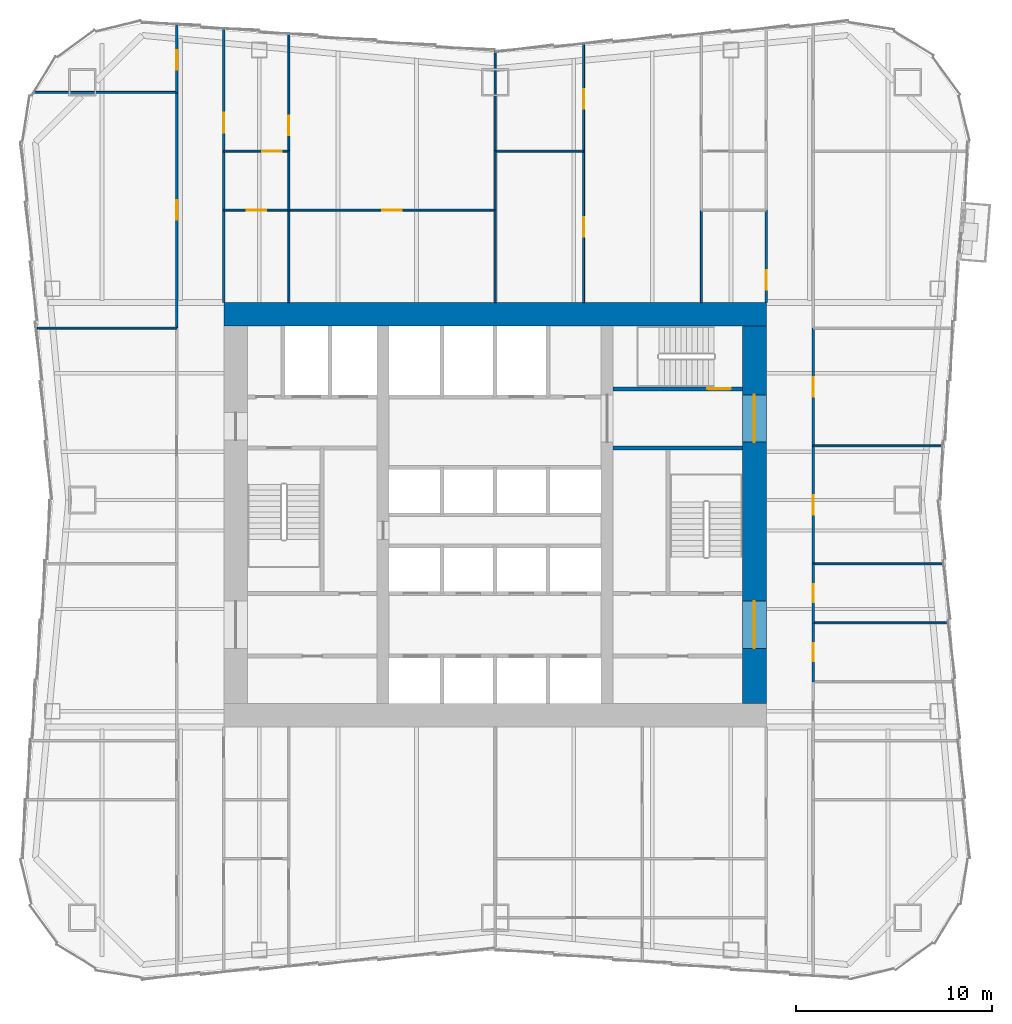
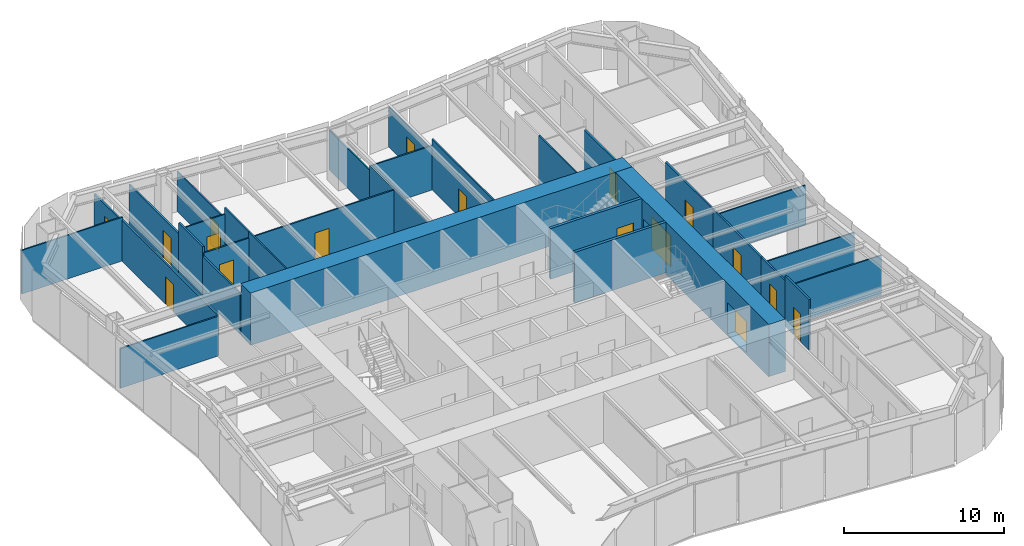
# One storey, part 6 of 9: 32 walls, 17 doors, 17 openings.
"""IFC4 building model written with IfcOpenShell, lengths in metres."""

from ifc_helpers import new_model, si_unit, direction, frame, frame_2d, origin, place, context, subcontext, project, spatial, rectangle, extrude, material, layer, layer_set, type_object, element, fill, save


model = new_model("IFC4")

# Units and contexts
model_context = context("Model", 3, precision=1e-05, world=origin(), true_north=direction((0.0, 1.0)))
body_context = subcontext(model_context, "Body", "Model", "MODEL_VIEW")
ifc_project = project(units=[si_unit("LENGTHUNIT", "METRE"), si_unit("AREAUNIT", "SQUARE_METRE"), si_unit("VOLUMEUNIT", "CUBIC_METRE"), si_unit("PLANEANGLEUNIT", "RADIAN"), si_unit("MASSUNIT", "GRAM", prefix="KILO")], contexts=[model_context])

# Site, building, storey
site_placement = place(None, origin())
site = spatial("IfcSite", under=ifc_project, at=site_placement, CompositionType="ELEMENT")
building_placement = place(site_placement, origin())
building = spatial("IfcBuilding", under=site, at=building_placement, Name="Verdant Reach Tower", CompositionType="ELEMENT")
storey_placement = place(building_placement, frame((0.0, 0.0, 86.0)))
storey = spatial("IfcBuildingStorey", under=building, at=storey_placement, Name="L19", CompositionType="ELEMENT", Elevation=86.0)

# Wall
ifc_material_1 = material(Name="Concrete C40/50", Category="concrete")
ifc_layer_1 = layer(ifc_material_1, 0.199951171875)
ifc_layer_set_1 = layer_set([ifc_layer_1], Name="CO-WALL-STAIR")
wall_type_1 = type_object("IfcWallType", Name="CO-WALL-STAIR", PredefinedType="PARTITIONING", material=ifc_layer_set_1)
wall_1_placement = place(storey_placement, frame((6.0, 31.39990234375, 0.0), z_axis=(0.0, 0.0, 1.0), x_axis=(1.0, 0.0, 0.0)))
element("IfcWall", 1, at=wall_1_placement, inside=storey, type_object=wall_type_1, Name="Stair enclosure wall, L19", PredefinedType="PARTITIONING", context=body_context, shape_type="SweptSolid", body=[
    extrude(rectangle(XDim=6.60009765625, YDim=0.199951171875, at=frame_2d((3.300048828125, 0.0))), origin(), (0.0, 0.0, 1.0), 3.8701171875),
])

# Wall, opening, door
wall_2_placement = place(storey_placement, frame((6.0, 34.39990234375, 0.0), z_axis=(0.0, 0.0, 1.0), x_axis=(1.0, 0.0, 0.0)))
wall_2 = element("IfcWall", 2, at=wall_2_placement, inside=storey, type_object=wall_type_1, Name="Stair enclosure wall, L19", PredefinedType="PARTITIONING", context=body_context, shape_type="SweptSolid", body=[
    extrude(rectangle(XDim=6.60009765625, YDim=0.199951171875, at=frame_2d((3.300048828125, 0.0))), origin(), (0.0, 0.0, 1.0), 3.8701171875),
])
opening_1_placement = place(wall_2_placement, frame((4.800048828125, 0.0, 0.0)))
opening_1 = element("IfcOpeningElement", 3, at=opening_1_placement, cuts=wall_2, Name="Opening SD", PredefinedType="OPENING", context=body_context, shape_type="SweptSolid", body=[
    extrude(rectangle(XDim=1.199951171875, YDim=2.199951171875, at=frame_2d((0.60009765625, 1.10009765625))), frame((0.0, 0.10986328125, 0.0), z_axis=(0.0, -1.0, 0.0), x_axis=(1.0, 0.0, 0.0)), (0.0, 0.0, 1.0), 0.219970703125),
])
ifc_material_2 = material(Name="Steel", Category="steel")
door_type_1 = type_object("IfcDoorType", Name="CO-DOOR-STAIR", OperationType="NOTDEFINED", PredefinedType="DOOR", material=ifc_material_2)
door_1_placement = place(opening_1_placement, origin())
door_1 = element("IfcDoor", 4, at=door_1_placement, inside=storey, type_object=door_type_1, Name="Stair door, L19", OperationType="SINGLE_SWING_RIGHT", OverallHeight=2.199951171875, OverallWidth=1.199951171875, PredefinedType="DOOR", context=body_context, shape_type="SweptSolid", body=[
    extrude(rectangle(XDim=1.199951171875, YDim=2.199951171875, at=frame_2d((0.60009765625, 1.10009765625))), frame((0.0, 0.02490234375, 0.0), z_axis=(0.0, -1.0, 0.0), x_axis=(1.0, 0.0, 0.0)), (0.0, 0.0, 1.0), 0.050048828125),
])
fill(opening_1, door_1)

# Walls
ifc_material_3 = material(Name="Gypsum board on steel studs", Category="steel")
ifc_layer_2 = layer(ifc_material_3, 0.10009765625)
ifc_layer_set_2 = layer_set([ifc_layer_2], Name="FL-W1 Partition 100")
wall_type_2 = type_object("IfcWallType", Name="FL-W1 Partition 100", PredefinedType="PARTITIONING", material=ifc_layer_set_2)
wall_3_placement = place(storey_placement, frame((-16.199951171875, 37.5, 0.0), z_axis=(0.0, 0.0, 1.0), x_axis=(-1.0, 0.0, 0.0)))
element("IfcWall", 5, at=wall_3_placement, inside=storey, type_object=wall_type_2, Name="Partition 19.31", PredefinedType="PARTITIONING", context=body_context, shape_type="SweptSolid", body=[
    extrude(rectangle(XDim=7.099365234375, YDim=0.10009765625, at=frame_2d((3.5498046875, 0.0))), origin(), (0.0, 0.0, 1.0), 3.0400390625),
])
wall_4_placement = place(storey_placement, frame((-16.199951171875, 49.5, 0.0), z_axis=(0.0, 0.0, 1.0), x_axis=(-1.0, 0.0, 0.0)))
element("IfcWall", 6, at=wall_4_placement, inside=storey, type_object=wall_type_2, Name="Partition 19.32", PredefinedType="PARTITIONING", context=body_context, shape_type="SweptSolid", body=[
    extrude(rectangle(XDim=7.287109375, YDim=0.10009765625, at=frame_2d((3.6435546875, 0.0))), origin(), (0.0, 0.0, 1.0), 3.340087890625),
])
wall_5_placement = place(storey_placement, frame((23.09375, 22.5, 0.0), z_axis=(0.0, 0.0, 1.0), x_axis=(-1.0, 0.0, 0.0)))
element("IfcWall", 7, at=wall_5_placement, inside=storey, type_object=wall_type_2, Name="Partition 19.36", PredefinedType="PARTITIONING", context=body_context, shape_type="SweptSolid", body=[
    extrude(rectangle(XDim=6.893798828125, YDim=0.10009765625, at=frame_2d((3.44677734375, 0.0))), origin(), (0.0, 0.0, 1.0), 3.0400390625),
])
wall_6_placement = place(storey_placement, frame((22.84716796875, 25.5, 0.0), z_axis=(0.0, 0.0, 1.0), x_axis=(-1.0, 0.0, 0.0)))
element("IfcWall", 8, at=wall_6_placement, inside=storey, type_object=wall_type_2, Name="Partition 19.37", PredefinedType="PARTITIONING", context=body_context, shape_type="SweptSolid", body=[
    extrude(rectangle(XDim=6.647216796875, YDim=0.10009765625, at=frame_2d((3.32373046875, 0.0))), origin(), (0.0, 0.0, 1.0), 3.0400390625),
])
wall_7_placement = place(storey_placement, frame((22.805908203125, 31.5, 0.0), z_axis=(0.0, 0.0, 1.0), x_axis=(-1.0, 0.0, 0.0)))
element("IfcWall", 9, at=wall_7_placement, inside=storey, type_object=wall_type_2, Name="Partition 19.38", PredefinedType="PARTITIONING", context=body_context, shape_type="SweptSolid", body=[
    extrude(rectangle(XDim=6.60595703125, YDim=0.10009765625, at=frame_2d((3.302978515625, 0.0))), origin(), (0.0, 0.0, 1.0), 3.0400390625),
])

# Wall, opening, door
wall_8_placement = place(storey_placement, frame((-10.5, 43.5, 0.0), z_axis=(0.0, 0.0, 1.0), x_axis=(-1.0, 0.0, 0.0)))
wall_8 = element("IfcWall", 10, at=wall_8_placement, inside=storey, type_object=wall_type_2, Name="Partition 19.56", PredefinedType="PARTITIONING", context=body_context, shape_type="SweptSolid", body=[
    extrude(rectangle(XDim=3.300048828125, YDim=0.10009765625, at=frame_2d((1.64990234375, 0.0))), origin(), (0.0, 0.0, 1.0), 3.389892578125),
])
opening_2_placement = place(wall_8_placement, frame((1.14990234375, 0.0, 0.0)))
opening_2 = element("IfcOpeningElement", 11, at=opening_2_placement, cuts=wall_8, Name="Opening D3", PredefinedType="OPENING", context=body_context, shape_type="SweptSolid", body=[
    extrude(rectangle(XDim=1.0, YDim=2.10009765625, at=frame_2d((0.5, 1.050048828125))), frame((0.0, 0.06005859375, 0.0), z_axis=(0.0, -1.0, 0.0), x_axis=(1.0, 0.0, 0.0)), (0.0, 0.0, 1.0), 0.1201171875),
])
ifc_material_4 = material(Name="Painted timber door leaf", Category="wood")
door_type_2 = type_object("IfcDoorType", Name="FL-D3 Door 1000x2100", OperationType="NOTDEFINED", PredefinedType="DOOR", material=ifc_material_4)
door_2_placement = place(opening_2_placement, origin())
door_2 = element("IfcDoor", 12, at=door_2_placement, inside=storey, type_object=door_type_2, Name="Door 19-029", OperationType="SINGLE_SWING_LEFT", OverallHeight=2.10009765625, OverallWidth=1.0, PredefinedType="DOOR", context=body_context, shape_type="SweptSolid", body=[
    extrude(rectangle(XDim=1.0, YDim=2.10009765625, at=frame_2d((0.5, 1.050048828125))), frame((0.0, 0.02490234375, 0.0), z_axis=(0.0, -1.0, 0.0), x_axis=(1.0, 0.0, 0.0)), (0.0, 0.0, 1.0), 0.050048828125),
])
fill(opening_2, door_2)

# Wall
wall_9_placement = place(storey_placement, frame((-10.5, 38.800048828125, 0.0), z_axis=(0.0, 0.0, 1.0), x_axis=(0.0, 1.0, 0.0)))
element("IfcWall", 13, at=wall_9_placement, inside=storey, type_object=wall_type_2, Name="Partition 19.57", PredefinedType="PARTITIONING", context=body_context, shape_type="SweptSolid", body=[
    extrude(rectangle(XDim=4.699951171875, YDim=0.10009765625, at=frame_2d((2.35009765625, 0.0))), origin(), (0.0, 0.0, 1.0), 3.8701171875),
])

# Wall, opening, door
wall_10_placement = place(storey_placement, frame((-10.5, 46.5, 0.0), z_axis=(0.0, 0.0, 1.0), x_axis=(-1.0, 0.0, 0.0)))
wall_10 = element("IfcWall", 14, at=wall_10_placement, inside=storey, type_object=wall_type_2, Name="Partition 19.58", PredefinedType="PARTITIONING", context=body_context, shape_type="SweptSolid", body=[
    extrude(rectangle(XDim=3.300048828125, YDim=0.10009765625, at=frame_2d((1.64990234375, 0.0))), origin(), (0.0, 0.0, 1.0), 3.389892578125),
])
opening_3_placement = place(wall_10_placement, frame((0.35009765625, 0.0, 0.0)))
opening_3 = element("IfcOpeningElement", 15, at=opening_3_placement, cuts=wall_10, Name="Opening D3", PredefinedType="OPENING", context=body_context, shape_type="SweptSolid", body=[
    extrude(rectangle(XDim=1.0, YDim=2.10009765625, at=frame_2d((0.5, 1.050048828125))), frame((0.0, 0.06005859375, 0.0), z_axis=(0.0, -1.0, 0.0), x_axis=(1.0, 0.0, 0.0)), (0.0, 0.0, 1.0), 0.1201171875),
])
door_3_placement = place(opening_3_placement, origin())
door_3 = element("IfcDoor", 16, at=door_3_placement, inside=storey, type_object=door_type_2, Name="Door 19-030", OperationType="SINGLE_SWING_LEFT", OverallHeight=2.10009765625, OverallWidth=1.0, PredefinedType="DOOR", context=body_context, shape_type="SweptSolid", body=[
    extrude(rectangle(XDim=1.0, YDim=2.10009765625, at=frame_2d((0.5, 1.050048828125))), frame((0.0, 0.02490234375, 0.0), z_axis=(0.0, -1.0, 0.0), x_axis=(1.0, 0.0, 0.0)), (0.0, 0.0, 1.0), 0.050048828125),
])
fill(opening_3, door_3)

# Wall
wall_11_placement = place(storey_placement, frame((-10.5, 43.5, 0.0), z_axis=(0.0, 0.0, 1.0), x_axis=(0.0, 1.0, 0.0)))
element("IfcWall", 17, at=wall_11_placement, inside=storey, type_object=wall_type_2, Name="Partition 19.59", PredefinedType="PARTITIONING", context=body_context, shape_type="SweptSolid", body=[
    extrude(rectangle(XDim=3.00390625, YDim=0.10009765625, at=frame_2d((1.501953125, 0.0))), origin(), (0.0, 0.0, 1.0), 3.8701171875),
])

# Wall, opening, door
wall_12_placement = place(storey_placement, frame((-10.5, 52.455078125, 0.0), z_axis=(0.0, 0.0, 1.0), x_axis=(0.0, -1.0, 0.0)))
wall_12 = element("IfcWall", 18, at=wall_12_placement, inside=storey, type_object=wall_type_2, Name="Partition 19.60", PredefinedType="PARTITIONING", context=body_context, shape_type="SweptSolid", body=[
    extrude(rectangle(XDim=5.958984375, YDim=0.10009765625, at=frame_2d((2.9794921875, 0.0))), origin(), (0.0, 0.0, 1.0), 3.0400390625),
])
opening_4_placement = place(wall_12_placement, frame((4.14453125, 0.0, 0.0)))
opening_4 = element("IfcOpeningElement", 19, at=opening_4_placement, cuts=wall_12, Name="Opening D3", PredefinedType="OPENING", context=body_context, shape_type="SweptSolid", body=[
    extrude(rectangle(XDim=1.0, YDim=2.10009765625, at=frame_2d((0.5, 1.050048828125))), frame((0.0, 0.06005859375, 0.0), z_axis=(0.0, -1.0, 0.0), x_axis=(1.0, 0.0, 0.0)), (0.0, 0.0, 1.0), 0.1201171875),
])
door_4_placement = place(opening_4_placement, origin())
door_4 = element("IfcDoor", 20, at=door_4_placement, inside=storey, type_object=door_type_2, Name="Door 19-031", OperationType="SINGLE_SWING_RIGHT", OverallHeight=2.10009765625, OverallWidth=1.0, PredefinedType="DOOR", context=body_context, shape_type="SweptSolid", body=[
    extrude(rectangle(XDim=1.0, YDim=2.10009765625, at=frame_2d((0.5, 1.050048828125))), frame((0.0, 0.02490234375, 0.0), z_axis=(0.0, -1.0, 0.0), x_axis=(1.0, 0.0, 0.0)), (0.0, 0.0, 1.0), 0.050048828125),
])
fill(opening_4, door_4)

wall_13_placement = place(storey_placement, frame((0.0, 43.5, 0.0), z_axis=(0.0, 0.0, 1.0), x_axis=(-1.0, 0.0, 0.0)))
wall_13 = element("IfcWall", 21, at=wall_13_placement, inside=storey, type_object=wall_type_2, Name="Partition 19.61", PredefinedType="PARTITIONING", context=body_context, shape_type="SweptSolid", body=[
    extrude(rectangle(XDim=10.5, YDim=0.10009765625, at=frame_2d((5.25, 0.0))), origin(), (0.0, 0.0, 1.0), 3.389892578125),
])
opening_5_placement = place(wall_13_placement, frame((4.75, 0.0, 0.0)))
opening_5 = element("IfcOpeningElement", 22, at=opening_5_placement, cuts=wall_13, Name="Opening D3", PredefinedType="OPENING", context=body_context, shape_type="SweptSolid", body=[
    extrude(rectangle(XDim=1.0, YDim=2.10009765625, at=frame_2d((0.5, 1.050048828125))), frame((0.0, 0.06005859375, 0.0), z_axis=(0.0, -1.0, 0.0), x_axis=(1.0, 0.0, 0.0)), (0.0, 0.0, 1.0), 0.1201171875),
])
door_5_placement = place(opening_5_placement, origin())
door_5 = element("IfcDoor", 23, at=door_5_placement, inside=storey, type_object=door_type_2, Name="Door 19-032", OperationType="SINGLE_SWING_RIGHT", OverallHeight=2.10009765625, OverallWidth=1.0, PredefinedType="DOOR", context=body_context, shape_type="SweptSolid", body=[
    extrude(rectangle(XDim=1.0, YDim=2.10009765625, at=frame_2d((0.5, 1.050048828125))), frame((0.0, 0.02490234375, 0.0), z_axis=(0.0, -1.0, 0.0), x_axis=(1.0, 0.0, 0.0)), (0.0, 0.0, 1.0), 0.050048828125),
])
fill(opening_5, door_5)

# Walls
wall_14_placement = place(storey_placement, frame((0.0, 38.800048828125, 0.0), z_axis=(0.0, 0.0, 1.0), x_axis=(0.0, 1.0, 0.0)))
element("IfcWall", 24, at=wall_14_placement, inside=storey, type_object=wall_type_2, Name="Partition 19.62", PredefinedType="PARTITIONING", context=body_context, shape_type="SweptSolid", body=[
    extrude(rectangle(XDim=4.703857421875, YDim=0.10009765625, at=frame_2d((2.35205078125, 0.0))), origin(), (0.0, 0.0, 1.0), 3.43994140625),
])
wall_15_placement = place(storey_placement, frame((0.0, 43.49609375, 0.0), z_axis=(0.0, 0.0, 1.0), x_axis=(0.0, 1.0, 0.0)))
element("IfcWall", 25, at=wall_15_placement, inside=storey, type_object=wall_type_2, Name="Partition 19.63", PredefinedType="PARTITIONING", context=body_context, shape_type="SweptSolid", body=[
    extrude(rectangle(XDim=3.00390625, YDim=0.10009765625, at=frame_2d((1.501953125, 0.0))), origin(), (0.0, 0.0, 1.0), 3.43994140625),
])
wall_16_placement = place(storey_placement, frame((0.0, 46.5, 0.0), z_axis=(0.0, 0.0, 1.0), x_axis=(0.0, 1.0, 0.0)))
element("IfcWall", 26, at=wall_16_placement, inside=storey, type_object=wall_type_2, Name="Partition 19.64", PredefinedType="PARTITIONING", context=body_context, shape_type="SweptSolid", body=[
    extrude(rectangle(XDim=5.080078125, YDim=0.10009765625, at=frame_2d((2.5400390625, 0.0))), origin(), (0.0, 0.0, 1.0), 3.0400390625),
])
wall_17_placement = place(storey_placement, frame((10.5, 43.50390625, 0.0), z_axis=(0.0, 0.0, 1.0), x_axis=(0.0, -1.0, 0.0)))
element("IfcWall", 27, at=wall_17_placement, inside=storey, type_object=wall_type_2, Name="Partition 19.66", PredefinedType="PARTITIONING", context=body_context, shape_type="SweptSolid", body=[
    extrude(rectangle(XDim=4.703857421875, YDim=0.10009765625, at=frame_2d((2.35205078125, 0.0))), origin(), (0.0, 0.0, 1.0), 3.8701171875),
])

# Wall, opening, door
wall_18_placement = place(storey_placement, frame((4.5, 38.800048828125, 0.0), z_axis=(0.0, 0.0, 1.0), x_axis=(0.0, 1.0, 0.0)))
wall_18 = element("IfcWall", 28, at=wall_18_placement, inside=storey, type_object=wall_type_2, Name="Partition 19.70", PredefinedType="PARTITIONING", context=body_context, shape_type="SweptSolid", body=[
    extrude(rectangle(XDim=7.699951171875, YDim=0.10009765625, at=frame_2d((3.85009765625, 0.0))), origin(), (0.0, 0.0, 1.0), 3.8701171875),
])
opening_6_placement = place(wall_18_placement, frame((3.35009765625, 0.0, 0.0)))
opening_6 = element("IfcOpeningElement", 29, at=opening_6_placement, cuts=wall_18, Name="Opening D3", PredefinedType="OPENING", context=body_context, shape_type="SweptSolid", body=[
    extrude(rectangle(XDim=1.0, YDim=2.10009765625, at=frame_2d((0.5, 1.050048828125))), frame((0.0, 0.06005859375, 0.0), z_axis=(0.0, -1.0, 0.0), x_axis=(1.0, 0.0, 0.0)), (0.0, 0.0, 1.0), 0.1201171875),
])
door_6_placement = place(opening_6_placement, origin())
door_6 = element("IfcDoor", 30, at=door_6_placement, inside=storey, type_object=door_type_2, Name="Door 19-035", OperationType="SINGLE_SWING_LEFT", OverallHeight=2.10009765625, OverallWidth=1.0, PredefinedType="DOOR", context=body_context, shape_type="SweptSolid", body=[
    extrude(rectangle(XDim=1.0, YDim=2.10009765625, at=frame_2d((0.5, 1.050048828125))), frame((0.0, 0.02490234375, 0.0), z_axis=(0.0, -1.0, 0.0), x_axis=(1.0, 0.0, 0.0)), (0.0, 0.0, 1.0), 0.050048828125),
])
fill(opening_6, door_6)

wall_19_placement = place(storey_placement, frame((4.5, 46.5, 0.0), z_axis=(0.0, 0.0, 1.0), x_axis=(0.0, 1.0, 0.0)))
wall_19 = element("IfcWall", 31, at=wall_19_placement, inside=storey, type_object=wall_type_2, Name="Partition 19.71", PredefinedType="PARTITIONING", context=body_context, shape_type="SweptSolid", body=[
    extrude(rectangle(XDim=5.455078125, YDim=0.10009765625, at=frame_2d((2.7275390625, 0.0))), origin(), (0.0, 0.0, 1.0), 3.0400390625),
])
opening_7_placement = place(wall_19_placement, frame((2.162353515625, 0.0, 0.0)))
opening_7 = element("IfcOpeningElement", 32, at=opening_7_placement, cuts=wall_19, Name="Opening D3", PredefinedType="OPENING", context=body_context, shape_type="SweptSolid", body=[
    extrude(rectangle(XDim=1.0, YDim=2.10009765625, at=frame_2d((0.5, 1.050048828125))), frame((0.0, 0.06005859375, 0.0), z_axis=(0.0, -1.0, 0.0), x_axis=(1.0, 0.0, 0.0)), (0.0, 0.0, 1.0), 0.1201171875),
])
door_7_placement = place(opening_7_placement, origin())
door_7 = element("IfcDoor", 33, at=door_7_placement, inside=storey, type_object=door_type_2, Name="Door 19-036", OperationType="SINGLE_SWING_LEFT", OverallHeight=2.10009765625, OverallWidth=1.0, PredefinedType="DOOR", context=body_context, shape_type="SweptSolid", body=[
    extrude(rectangle(XDim=1.0, YDim=2.10009765625, at=frame_2d((0.5, 1.050048828125))), frame((0.0, 0.02490234375, 0.0), z_axis=(0.0, -1.0, 0.0), x_axis=(1.0, 0.0, 0.0)), (0.0, 0.0, 1.0), 0.050048828125),
])
fill(opening_7, door_7)

# Wall
wall_20_placement = place(storey_placement, frame((4.5, 46.5, 0.0), z_axis=(0.0, 0.0, 1.0), x_axis=(-1.0, 0.0, 0.0)))
element("IfcWall", 34, at=wall_20_placement, inside=storey, type_object=wall_type_2, Name="Partition 19.72", PredefinedType="PARTITIONING", context=body_context, shape_type="SweptSolid", body=[
    extrude(rectangle(XDim=4.5, YDim=0.10009765625, at=frame_2d((2.25, 0.0))), origin(), (0.0, 0.0, 1.0), 3.389892578125),
])

# Wall, opening, door
ifc_material_5 = material(Name="Gypsum board on steel studs, fire rated", Category="steel")
ifc_layer_3 = layer(ifc_material_5, 0.125)
ifc_layer_set_3 = layer_set([ifc_layer_3], Name="FL-W2 Corridor wall 125")
wall_type_3 = type_object("IfcWallType", Name="FL-W2 Corridor wall 125", PredefinedType="PARTITIONING", material=ifc_layer_set_3)
wall_21_placement = place(storey_placement, frame((-16.199951171875, 37.5, 0.0), z_axis=(0.0, 0.0, 1.0), x_axis=(0.0, 1.0, 0.0)))
wall_21 = element("IfcWall", 35, at=wall_21_placement, inside=storey, type_object=wall_type_3, Name="Partition 19.05", PredefinedType="PARTITIONING", context=body_context, shape_type="SweptSolid", body=[
    extrude(rectangle(XDim=12.0, YDim=0.125, at=frame_2d((6.0, 0.0))), origin(), (0.0, 0.0, 1.0), 3.139892578125),
])
opening_8_placement = place(wall_21_placement, frame((5.5, 0.0, 0.0)))
opening_8 = element("IfcOpeningElement", 36, at=opening_8_placement, cuts=wall_21, Name="Opening D2", PredefinedType="OPENING", context=body_context, shape_type="SweptSolid", body=[
    extrude(rectangle(XDim=1.0, YDim=2.10009765625, at=frame_2d((0.5, 1.050048828125))), frame((0.0, 0.072509765625, 0.0), z_axis=(0.0, -1.0, 0.0), x_axis=(1.0, 0.0, 0.0)), (0.0, 0.0, 1.0), 0.14501953125),
])
ifc_material_6 = material(Name="Timber door leaf, fire rated", Category="wood")
door_type_3 = type_object("IfcDoorType", Name="FL-D2 Entrance door 1000x2100 FD30", OperationType="NOTDEFINED", PredefinedType="DOOR", material=ifc_material_6)
door_8_placement = place(opening_8_placement, origin())
door_8 = element("IfcDoor", 37, at=door_8_placement, inside=storey, type_object=door_type_3, Name="Door 19-005", OperationType="SINGLE_SWING_LEFT", OverallHeight=2.10009765625, OverallWidth=1.0, PredefinedType="DOOR", context=body_context, shape_type="SweptSolid", body=[
    extrude(rectangle(XDim=1.0, YDim=2.10009765625, at=frame_2d((0.5, 1.050048828125))), frame((0.0, 0.02490234375, 0.0), z_axis=(0.0, -1.0, 0.0), x_axis=(1.0, 0.0, 0.0)), (0.0, 0.0, 1.0), 0.050048828125),
])
fill(opening_8, door_8)

wall_22_placement = place(storey_placement, frame((-16.199951171875, 49.5, 0.0), z_axis=(0.0, 0.0, 1.0), x_axis=(0.0, 1.0, 0.0)))
wall_22 = element("IfcWall", 38, at=wall_22_placement, inside=storey, type_object=wall_type_3, Name="Partition 19.06", PredefinedType="PARTITIONING", context=body_context, shape_type="SweptSolid", body=[
    extrude(rectangle(XDim=3.429931640625, YDim=0.125, at=frame_2d((1.71484375, 0.0))), origin(), (0.0, 0.0, 1.0), 3.0400390625),
])
opening_9_placement = place(wall_22_placement, frame((1.14990234375, 0.0, 0.0)))
opening_9 = element("IfcOpeningElement", 39, at=opening_9_placement, cuts=wall_22, Name="Opening D2", PredefinedType="OPENING", context=body_context, shape_type="SweptSolid", body=[
    extrude(rectangle(XDim=1.0, YDim=2.10009765625, at=frame_2d((0.5, 1.050048828125))), frame((0.0, 0.072509765625, 0.0), z_axis=(0.0, -1.0, 0.0), x_axis=(1.0, 0.0, 0.0)), (0.0, 0.0, 1.0), 0.14501953125),
])
door_9_placement = place(opening_9_placement, origin())
door_9 = element("IfcDoor", 40, at=door_9_placement, inside=storey, type_object=door_type_3, Name="Door 19-006", OperationType="SINGLE_SWING_LEFT", OverallHeight=2.10009765625, OverallWidth=1.0, PredefinedType="DOOR", context=body_context, shape_type="SweptSolid", body=[
    extrude(rectangle(XDim=1.0, YDim=2.10009765625, at=frame_2d((0.5, 1.050048828125))), frame((0.0, 0.02490234375, 0.0), z_axis=(0.0, -1.0, 0.0), x_axis=(1.0, 0.0, 0.0)), (0.0, 0.0, 1.0), 0.050048828125),
])
fill(opening_9, door_9)

# Walls
wall_23_placement = place(storey_placement, frame((-13.800048828125, 38.800048828125, 0.0), z_axis=(0.0, 0.0, 1.0), x_axis=(0.0, 1.0, 0.0)))
element("IfcWall", 41, at=wall_23_placement, inside=storey, type_object=wall_type_3, Name="Partition 19.10", PredefinedType="PARTITIONING", context=body_context, shape_type="SweptSolid", body=[
    extrude(rectangle(XDim=4.699951171875, YDim=0.125, at=frame_2d((2.35009765625, 0.0))), origin(), (0.0, 0.0, 1.0), 3.139892578125),
])
wall_24_placement = place(storey_placement, frame((-13.800048828125, 43.5, 0.0), z_axis=(0.0, 0.0, 1.0), x_axis=(0.0, 1.0, 0.0)))
element("IfcWall", 42, at=wall_24_placement, inside=storey, type_object=wall_type_3, Name="Partition 19.11", PredefinedType="PARTITIONING", context=body_context, shape_type="SweptSolid", body=[
    extrude(rectangle(XDim=3.0, YDim=0.125, at=frame_2d((1.5, 0.0))), origin(), (0.0, 0.0, 1.0), 3.8701171875),
])

# Wall, opening, door
wall_25_placement = place(storey_placement, frame((-13.800048828125, 52.72998046875, 0.0), z_axis=(0.0, 0.0, 1.0), x_axis=(0.0, -1.0, 0.0)))
wall_25 = element("IfcWall", 43, at=wall_25_placement, inside=storey, type_object=wall_type_3, Name="Partition 19.12", PredefinedType="PARTITIONING", context=body_context, shape_type="SweptSolid", body=[
    extrude(rectangle(XDim=6.22998046875, YDim=0.125, at=frame_2d((3.114990234375, 0.0))), origin(), (0.0, 0.0, 1.0), 3.0400390625),
])
opening_10_placement = place(wall_25_placement, frame((4.280029296875, 0.0, 0.0)))
opening_10 = element("IfcOpeningElement", 44, at=opening_10_placement, cuts=wall_25, Name="Opening D2", PredefinedType="OPENING", context=body_context, shape_type="SweptSolid", body=[
    extrude(rectangle(XDim=1.0, YDim=2.10009765625, at=frame_2d((0.5, 1.050048828125))), frame((0.0, 0.072509765625, 0.0), z_axis=(0.0, -1.0, 0.0), x_axis=(1.0, 0.0, 0.0)), (0.0, 0.0, 1.0), 0.14501953125),
])
door_10_placement = place(opening_10_placement, origin())
door_10 = element("IfcDoor", 45, at=door_10_placement, inside=storey, type_object=door_type_3, Name="Door 19-009", OperationType="SINGLE_SWING_RIGHT", OverallHeight=2.10009765625, OverallWidth=1.0, PredefinedType="DOOR", context=body_context, shape_type="SweptSolid", body=[
    extrude(rectangle(XDim=1.0, YDim=2.10009765625, at=frame_2d((0.5, 1.050048828125))), frame((0.0, 0.02490234375, 0.0), z_axis=(0.0, -1.0, 0.0), x_axis=(1.0, 0.0, 0.0)), (0.0, 0.0, 1.0), 0.050048828125),
])
fill(opening_10, door_10)

wall_26_placement = place(storey_placement, frame((16.199951171875, 22.5, 0.0), z_axis=(0.0, 0.0, 1.0), x_axis=(0.0, -1.0, 0.0)))
wall_26 = element("IfcWall", 46, at=wall_26_placement, inside=storey, type_object=wall_type_3, Name="Partition 19.16", PredefinedType="PARTITIONING", context=body_context, shape_type="SweptSolid", body=[
    extrude(rectangle(XDim=3.0, YDim=0.125, at=frame_2d((1.5, 0.0))), origin(), (0.0, 0.0, 1.0), 3.8701171875),
])
opening_11_placement = place(wall_26_placement, frame((1.050048828125, 0.0, 0.0)))
opening_11 = element("IfcOpeningElement", 47, at=opening_11_placement, cuts=wall_26, Name="Opening D1", PredefinedType="OPENING", context=body_context, shape_type="SweptSolid", body=[
    extrude(rectangle(XDim=0.89990234375, YDim=2.10009765625, at=frame_2d((0.449951171875, 1.050048828125))), frame((0.0, 0.072509765625, 0.0), z_axis=(0.0, -1.0, 0.0), x_axis=(1.0, 0.0, 0.0)), (0.0, 0.0, 1.0), 0.14501953125),
])
door_type_4 = type_object("IfcDoorType", Name="FL-D1 Door 900x2100", OperationType="NOTDEFINED", PredefinedType="DOOR", material=ifc_material_4)
door_11_placement = place(opening_11_placement, origin())
door_11 = element("IfcDoor", 48, at=door_11_placement, inside=storey, type_object=door_type_4, Name="Door 19-013", OperationType="SINGLE_SWING_LEFT", OverallHeight=2.10009765625, OverallWidth=0.89990234375, PredefinedType="DOOR", context=body_context, shape_type="SweptSolid", body=[
    extrude(rectangle(XDim=0.89990234375, YDim=2.10009765625, at=frame_2d((0.449951171875, 1.050048828125))), frame((0.0, 0.02490234375, 0.0), z_axis=(0.0, -1.0, 0.0), x_axis=(1.0, 0.0, 0.0)), (0.0, 0.0, 1.0), 0.050048828125),
])
fill(opening_11, door_11)

wall_27_placement = place(storey_placement, frame((16.199951171875, 25.5, 0.0), z_axis=(0.0, 0.0, 1.0), x_axis=(0.0, -1.0, 0.0)))
wall_27 = element("IfcWall", 49, at=wall_27_placement, inside=storey, type_object=wall_type_3, Name="Partition 19.17", PredefinedType="PARTITIONING", context=body_context, shape_type="SweptSolid", body=[
    extrude(rectangle(XDim=3.0, YDim=0.125, at=frame_2d((1.5, 0.0))), origin(), (0.0, 0.0, 1.0), 3.47998046875),
])
opening_12_placement = place(wall_27_placement, frame((1.050048828125, 0.0, 0.0)))
opening_12 = element("IfcOpeningElement", 50, at=opening_12_placement, cuts=wall_27, Name="Opening D1", PredefinedType="OPENING", context=body_context, shape_type="SweptSolid", body=[
    extrude(rectangle(XDim=0.89990234375, YDim=2.10009765625, at=frame_2d((0.449951171875, 1.050048828125))), frame((0.0, 0.072509765625, 0.0), z_axis=(0.0, -1.0, 0.0), x_axis=(1.0, 0.0, 0.0)), (0.0, 0.0, 1.0), 0.14501953125),
])
door_12_placement = place(opening_12_placement, origin())
door_12 = element("IfcDoor", 51, at=door_12_placement, inside=storey, type_object=door_type_4, Name="Door 19-014", OperationType="SINGLE_SWING_RIGHT", OverallHeight=2.10009765625, OverallWidth=0.89990234375, PredefinedType="DOOR", context=body_context, shape_type="SweptSolid", body=[
    extrude(rectangle(XDim=0.89990234375, YDim=2.10009765625, at=frame_2d((0.449951171875, 1.050048828125))), frame((0.0, 0.02490234375, 0.0), z_axis=(0.0, -1.0, 0.0), x_axis=(1.0, 0.0, 0.0)), (0.0, 0.0, 1.0), 0.050048828125),
])
fill(opening_12, door_12)

wall_28_placement = place(storey_placement, frame((16.199951171875, 31.5, 0.0), z_axis=(0.0, 0.0, 1.0), x_axis=(0.0, -1.0, 0.0)))
wall_28 = element("IfcWall", 52, at=wall_28_placement, inside=storey, type_object=wall_type_3, Name="Partition 19.18", PredefinedType="PARTITIONING", context=body_context, shape_type="SweptSolid", body=[
    extrude(rectangle(XDim=6.0, YDim=0.125, at=frame_2d((3.0, 0.0))), origin(), (0.0, 0.0, 1.0), 3.47998046875),
])
opening_13_placement = place(wall_28_placement, frame((2.5, 0.0, 0.0)))
opening_13 = element("IfcOpeningElement", 53, at=opening_13_placement, cuts=wall_28, Name="Opening D2", PredefinedType="OPENING", context=body_context, shape_type="SweptSolid", body=[
    extrude(rectangle(XDim=1.0, YDim=2.10009765625, at=frame_2d((0.5, 1.050048828125))), frame((0.0, 0.072509765625, 0.0), z_axis=(0.0, -1.0, 0.0), x_axis=(1.0, 0.0, 0.0)), (0.0, 0.0, 1.0), 0.14501953125),
])
door_13_placement = place(opening_13_placement, origin())
door_13 = element("IfcDoor", 54, at=door_13_placement, inside=storey, type_object=door_type_3, Name="Door 19-015", OperationType="SINGLE_SWING_LEFT", OverallHeight=2.10009765625, OverallWidth=1.0, PredefinedType="DOOR", context=body_context, shape_type="SweptSolid", body=[
    extrude(rectangle(XDim=1.0, YDim=2.10009765625, at=frame_2d((0.5, 1.050048828125))), frame((0.0, 0.02490234375, 0.0), z_axis=(0.0, -1.0, 0.0), x_axis=(1.0, 0.0, 0.0)), (0.0, 0.0, 1.0), 0.050048828125),
])
fill(opening_13, door_13)

wall_29_placement = place(storey_placement, frame((16.199951171875, 37.5, 0.0), z_axis=(0.0, 0.0, 1.0), x_axis=(0.0, -1.0, 0.0)))
wall_29 = element("IfcWall", 55, at=wall_29_placement, inside=storey, type_object=wall_type_3, Name="Partition 19.19", PredefinedType="PARTITIONING", context=body_context, shape_type="SweptSolid", body=[
    extrude(rectangle(XDim=6.0, YDim=0.125, at=frame_2d((3.0, 0.0))), origin(), (0.0, 0.0, 1.0), 3.47998046875),
])
opening_14_placement = place(wall_29_placement, frame((2.5, 0.0, 0.0)))
opening_14 = element("IfcOpeningElement", 56, at=opening_14_placement, cuts=wall_29, Name="Opening D2", PredefinedType="OPENING", context=body_context, shape_type="SweptSolid", body=[
    extrude(rectangle(XDim=1.0, YDim=2.10009765625, at=frame_2d((0.5, 1.050048828125))), frame((0.0, 0.072509765625, 0.0), z_axis=(0.0, -1.0, 0.0), x_axis=(1.0, 0.0, 0.0)), (0.0, 0.0, 1.0), 0.14501953125),
])
door_14_placement = place(opening_14_placement, origin())
door_14 = element("IfcDoor", 57, at=door_14_placement, inside=storey, type_object=door_type_3, Name="Door 19-016", OperationType="SINGLE_SWING_RIGHT", OverallHeight=2.10009765625, OverallWidth=1.0, PredefinedType="DOOR", context=body_context, shape_type="SweptSolid", body=[
    extrude(rectangle(XDim=1.0, YDim=2.10009765625, at=frame_2d((0.5, 1.050048828125))), frame((0.0, 0.02490234375, 0.0), z_axis=(0.0, -1.0, 0.0), x_axis=(1.0, 0.0, 0.0)), (0.0, 0.0, 1.0), 0.050048828125),
])
fill(opening_14, door_14)

wall_30_placement = place(storey_placement, frame((13.800048828125, 38.800048828125, 0.0), z_axis=(0.0, 0.0, 1.0), x_axis=(0.0, 1.0, 0.0)))
wall_30 = element("IfcWall", 58, at=wall_30_placement, inside=storey, type_object=wall_type_3, Name="Partition 19.25", PredefinedType="PARTITIONING", context=body_context, shape_type="SweptSolid", body=[
    extrude(rectangle(XDim=4.699951171875, YDim=0.125, at=frame_2d((2.35009765625, 0.0))), origin(), (0.0, 0.0, 1.0), 3.139892578125),
])
opening_15_placement = place(wall_30_placement, frame((0.64990234375, 0.0, 0.0)))
opening_15 = element("IfcOpeningElement", 59, at=opening_15_placement, cuts=wall_30, Name="Opening D2", PredefinedType="OPENING", context=body_context, shape_type="SweptSolid", body=[
    extrude(rectangle(XDim=1.0, YDim=2.10009765625, at=frame_2d((0.5, 1.050048828125))), frame((0.0, 0.072509765625, 0.0), z_axis=(0.0, -1.0, 0.0), x_axis=(1.0, 0.0, 0.0)), (0.0, 0.0, 1.0), 0.14501953125),
])
door_15_placement = place(opening_15_placement, origin())
door_15 = element("IfcDoor", 60, at=door_15_placement, inside=storey, type_object=door_type_3, Name="Door 19-021", OperationType="SINGLE_SWING_LEFT", OverallHeight=2.10009765625, OverallWidth=1.0, PredefinedType="DOOR", context=body_context, shape_type="SweptSolid", body=[
    extrude(rectangle(XDim=1.0, YDim=2.10009765625, at=frame_2d((0.5, 1.050048828125))), frame((0.0, 0.02490234375, 0.0), z_axis=(0.0, -1.0, 0.0), x_axis=(1.0, 0.0, 0.0)), (0.0, 0.0, 1.0), 0.050048828125),
])
fill(opening_15, door_15)

# Wall
ifc_material_7 = material(Name="Concrete C70/85", Category="concrete")
ifc_layer_4 = layer(ifc_material_7, 1.199951171875)
ifc_layer_set_4 = layer_set([ifc_layer_4], Name="ST-CORE-WALL-1200")
wall_type_4 = type_object("IfcWallType", Name="ST-CORE-WALL-1200", PredefinedType="SHEAR", material=ifc_layer_set_4)
wall_31_placement = place(storey_placement, frame((-13.800048828125, 38.199951171875, -0.1298828125), z_axis=(0.0, 0.0, 1.0), x_axis=(1.0, 0.0, 0.0)))
element("IfcWall", 61, at=wall_31_placement, inside=storey, type_object=wall_type_4, Name="Core wall N, L19", PredefinedType="SHEAR", context=body_context, shape_type="SweptSolid", body=[
    extrude(rectangle(XDim=27.60009765625, YDim=1.199951171875, at=frame_2d((13.800048828125, 0.0))), origin(), (0.0, 0.0, 1.0), 4.0),
])

# Wall, openings, doors
wall_32_placement = place(storey_placement, frame((13.199951171875, 18.39990234375, -0.1298828125), z_axis=(0.0, 0.0, 1.0), x_axis=(0.0, 1.0, 0.0)))
wall_32 = element("IfcWall", 62, at=wall_32_placement, inside=storey, type_object=wall_type_4, Name="Core wall E, L19", PredefinedType="SHEAR", context=body_context, shape_type="SweptSolid", body=[
    extrude(rectangle(XDim=19.2001953125, YDim=1.199951171875, at=frame_2d((9.60009765625, 0.0))), origin(), (0.0, 0.0, 1.0), 4.0),
])
opening_16_placement = place(wall_32_placement, frame((2.800048828125, 0.0, 0.1298828125)))
opening_16 = element("IfcOpeningElement", 63, at=opening_16_placement, cuts=wall_32, Name="Opening LB", PredefinedType="OPENING", context=body_context, shape_type="SweptSolid", body=[
    extrude(rectangle(XDim=2.39990234375, YDim=2.39990234375, at=frame_2d((1.199951171875, 1.199951171875))), frame((0.0, 0.60986328125, 0.0), z_axis=(0.0, -1.0, 0.0), x_axis=(1.0, 0.0, 0.0)), (0.0, 0.0, 1.0), 1.219970703125),
])
opening_17_placement = place(wall_32_placement, frame((13.300048828125, 0.0, 0.1298828125)))
opening_17 = element("IfcOpeningElement", 64, at=opening_17_placement, cuts=wall_32, Name="Opening LB", PredefinedType="OPENING", context=body_context, shape_type="SweptSolid", body=[
    extrude(rectangle(XDim=2.39990234375, YDim=2.39990234375, at=frame_2d((1.199951171875, 1.199951171875))), frame((0.0, 0.60986328125, 0.0), z_axis=(0.0, -1.0, 0.0), x_axis=(1.0, 0.0, 0.0)), (0.0, 0.0, 1.0), 1.219970703125),
])
ifc_material_8 = material(Name="Glass and steel", Category="steel")
door_type_5 = type_object("IfcDoorType", Name="CO-DOOR-LOBBY", OperationType="DOUBLE_DOOR_SINGLE_SWING", PredefinedType="DOOR", material=ifc_material_8)
door_16_placement = place(opening_16_placement, origin())
door_16 = element("IfcDoor", 65, at=door_16_placement, inside=storey, type_object=door_type_5, Name="Core entrance door, L19", OperationType="DOUBLE_DOOR_SINGLE_SWING", OverallHeight=2.39990234375, OverallWidth=2.39990234375, PredefinedType="DOOR", context=body_context, shape_type="SweptSolid", body=[
    extrude(rectangle(XDim=2.39990234375, YDim=2.39990234375, at=frame_2d((1.199951171875, 1.199951171875))), frame((0.0, 0.02490234375, 0.0), z_axis=(0.0, -1.0, 0.0), x_axis=(1.0, 0.0, 0.0)), (0.0, 0.0, 1.0), 0.050048828125),
])
fill(opening_16, door_16)
door_17_placement = place(opening_17_placement, origin())
door_17 = element("IfcDoor", 66, at=door_17_placement, inside=storey, type_object=door_type_5, Name="Core entrance door, L19", OperationType="DOUBLE_DOOR_SINGLE_SWING", OverallHeight=2.39990234375, OverallWidth=2.39990234375, PredefinedType="DOOR", context=body_context, shape_type="SweptSolid", body=[
    extrude(rectangle(XDim=2.39990234375, YDim=2.39990234375, at=frame_2d((1.199951171875, 1.199951171875))), frame((0.0, 0.02490234375, 0.0), z_axis=(0.0, -1.0, 0.0), x_axis=(1.0, 0.0, 0.0)), (0.0, 0.0, 1.0), 0.050048828125),
])
fill(opening_17, door_17)

save(model, "model.ifc")
